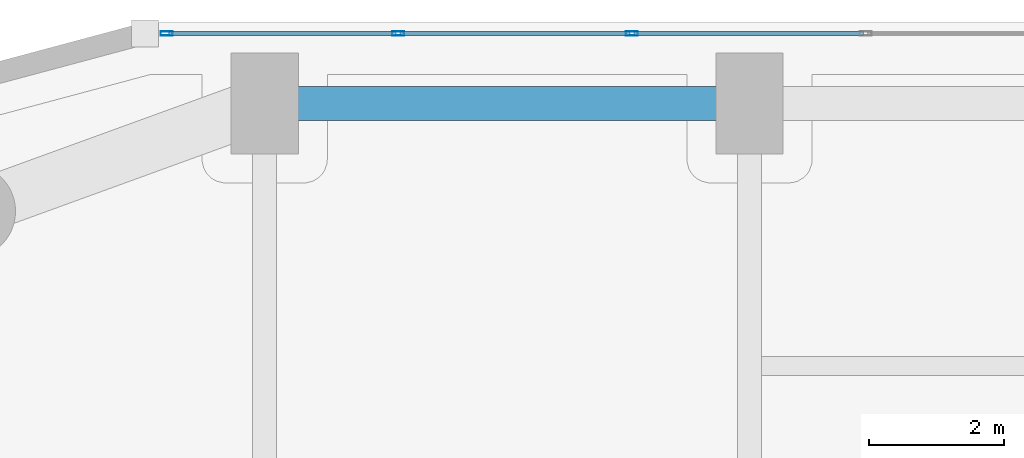
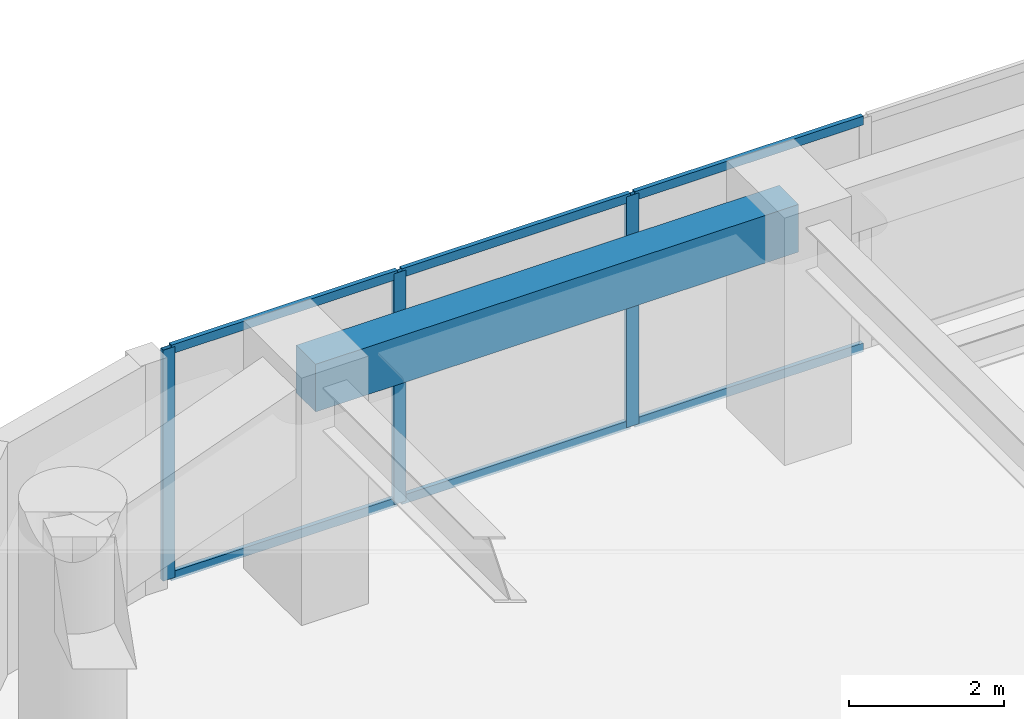
# One storey, part 16 of 28: 9 members, 1 beam, 1 element without a shape of its own.
"""IFC4 building model written with IfcOpenShell, lengths in metres."""

from ifc_helpers import new_model, si_unit, direction, frame, origin, origin_2d, place, context, subcontext, project, spatial, rectangle, hollow_rectangle, extrude, material, layer, layer_set, material_profile, profile_set, type_object, element, aggregate, save


model = new_model("IFC4")

# Units and contexts
model_context = context("Model", 3, precision=1e-05, world=origin(), true_north=direction((0.0, 1.0)))
body_context = subcontext(model_context, "Body", "Model", "MODEL_VIEW")
ifc_project = project(units=[si_unit("LENGTHUNIT", "METRE"), si_unit("AREAUNIT", "SQUARE_METRE"), si_unit("VOLUMEUNIT", "CUBIC_METRE"), si_unit("PLANEANGLEUNIT", "RADIAN"), si_unit("MASSUNIT", "GRAM", prefix="KILO")], contexts=[model_context])

# Site, building, storey
site_placement = place(None, origin())
site = spatial("IfcSite", under=ifc_project, at=site_placement, CompositionType="ELEMENT")
building_placement = place(site_placement, origin())
building = spatial("IfcBuilding", under=site, at=building_placement, Name="Kiyonajd Concourse Tower", CompositionType="ELEMENT")
storey_placement = place(building_placement, frame((0.0, 0.0, 41.10009765625)))
storey = spatial("IfcBuildingStorey", under=building, at=storey_placement, Name="L11", CompositionType="ELEMENT", Elevation=41.10009765625)

# Beam
ifc_material_1 = material(Name="Precast concrete C50/60", Category="concrete")
ifc_material_profile_1 = material_profile(ifc_material_1, rectangle(XDim=0.5, YDim=0.75, at=origin_2d()), Name="RCBM-500x750")
ifc_profile_set_1 = profile_set([ifc_material_profile_1], Name="Precast concrete C50/60")
beam_type = type_object("IfcBeamType", Name="BM-SPAN-RC", PredefinedType="SPANDREL", material=ifc_profile_set_1)
beam_placement = place(storey_placement, frame((32.39990234375, 61.199951171875, 3.264892578125), z_axis=(-1.0, 0.0, 0.0), x_axis=(0.0, -1.0, 0.0)))
element("IfcBeam", 1, at=beam_placement, inside=storey, type_object=beam_type, Name="L11 Perimeter Bundled Tube Spandrel", PredefinedType="SPANDREL", context=body_context, shape_type="SweptSolid", body=[
    extrude(rectangle(XDim=0.5, YDim=0.75, at=origin_2d()), origin(), (0.0, 0.0, 1.0), 7.199951171875),
])

# Curtain wall, members
ifc_material_2 = material(Name="Thermally Broken Anodised Aluminium", Category="aluminium")
ifc_layer = layer(ifc_material_2, 0.179931640625)
ifc_layer_set = layer_set([ifc_layer], Name="Thermally Broken Anodised Aluminium")
curtain_wall_type = type_object("IfcCurtainWallType", Name="CW-SYS-02", PredefinedType="NOTDEFINED", material=ifc_layer_set)
curtain_wall_placement = place(storey_placement, origin())
curtain_wall = element("IfcCurtainWall", 2, at=curtain_wall_placement, inside=storey, type_object=curtain_wall_type, Name="L11 Unitised Curtain Wall CW2", PredefinedType="NOTDEFINED")
ifc_material_profile_2 = material_profile(ifc_material_2, hollow_rectangle(XDim=0.06494140625, YDim=0.179931640625, WallThickness=0.00390625, at=origin_2d()), Name="MULL-65x180")
ifc_profile_set_2 = profile_set([ifc_material_profile_2], Name="Thermally Broken Anodised Aluminium")
member_type_1 = type_object("IfcMemberType", Name="MB-CW-MULL1", PredefinedType="MULLION", material=ifc_profile_set_2)
member_1_placement = place(storey_placement, frame((23.74365234375, 62.239990234375, 0.0), z_axis=(0.0, 0.0, 1.0), x_axis=(0.0, 1.0, 0.0)))
member_1 = element("IfcMember", 3, at=member_1_placement, type_object=member_type_1, Name="CW2 mullion 1", PredefinedType="MULLION", context=body_context, shape_type="SweptSolid", body=[
    extrude(hollow_rectangle(XDim=0.06494140625, YDim=0.179931640625, WallThickness=0.00390625, at=origin_2d()), origin(), (0.0, 0.0, 1.0), 3.639892578125),
])
member_2_placement = place(storey_placement, frame((27.181884765625, 62.239990234375, 0.0), z_axis=(0.0, 0.0, 1.0), x_axis=(0.0, 1.0, 0.0)))
member_2 = element("IfcMember", 4, at=member_2_placement, type_object=member_type_1, Name="CW2 mullion 2", PredefinedType="MULLION", context=body_context, shape_type="SweptSolid", body=[
    extrude(hollow_rectangle(XDim=0.06494140625, YDim=0.179931640625, WallThickness=0.00390625, at=origin_2d()), origin(), (0.0, 0.0, 1.0), 3.639892578125),
])
member_3_placement = place(storey_placement, frame((30.652587890625, 62.239990234375, 0.0), z_axis=(0.0, 0.0, 1.0), x_axis=(0.0, 1.0, 0.0)))
member_3 = element("IfcMember", 5, at=member_3_placement, type_object=member_type_1, Name="CW2 mullion 3", PredefinedType="MULLION", context=body_context, shape_type="SweptSolid", body=[
    extrude(hollow_rectangle(XDim=0.06494140625, YDim=0.179931640625, WallThickness=0.00390625, at=origin_2d()), origin(), (0.0, 0.0, 1.0), 3.639892578125),
])
ifc_material_profile_3 = material_profile(ifc_material_2, hollow_rectangle(XDim=0.06494140625, YDim=0.139892578125, WallThickness=0.00390625, at=origin_2d()), Name="TRAN-65x140")
ifc_profile_set_3 = profile_set([ifc_material_profile_3], Name="Thermally Broken Anodised Aluminium")
member_type_2 = type_object("IfcMemberType", Name="MB-CW-TRAN1", PredefinedType="USERDEFINED", material=ifc_profile_set_3)
member_4_placement = place(storey_placement, frame((23.776123046875, 62.239990234375, 0.032470703125), z_axis=(1.0, 0.0, 0.0), x_axis=(0.0, 1.0, 0.0)))
member_4 = element("IfcMember", 6, at=member_4_placement, type_object=member_type_2, Name="CW2 transom 1.1", ObjectType="TRANSOM", PredefinedType="USERDEFINED", context=body_context, shape_type="SweptSolid", body=[
    extrude(hollow_rectangle(XDim=0.06494140625, YDim=0.139892578125, WallThickness=0.00390625, at=origin_2d()), origin(), (0.0, 0.0, 1.0), 3.373291015625),
])
member_5_placement = place(storey_placement, frame((23.776123046875, 62.239990234375, 3.607421875), z_axis=(1.0, 0.0, 0.0), x_axis=(0.0, 1.0, 0.0)))
member_5 = element("IfcMember", 7, at=member_5_placement, type_object=member_type_2, Name="CW2 transom 1.2", ObjectType="TRANSOM", PredefinedType="USERDEFINED", context=body_context, shape_type="SweptSolid", body=[
    extrude(hollow_rectangle(XDim=0.06494140625, YDim=0.139892578125, WallThickness=0.00390625, at=origin_2d()), origin(), (0.0, 0.0, 1.0), 3.373291015625),
])
member_6_placement = place(storey_placement, frame((27.21435546875, 62.239990234375, 0.032470703125), z_axis=(1.0, 0.0, 0.0), x_axis=(0.0, 1.0, 0.0)))
member_6 = element("IfcMember", 8, at=member_6_placement, type_object=member_type_2, Name="CW2 transom 2.1", ObjectType="TRANSOM", PredefinedType="USERDEFINED", context=body_context, shape_type="SweptSolid", body=[
    extrude(hollow_rectangle(XDim=0.06494140625, YDim=0.139892578125, WallThickness=0.00390625, at=origin_2d()), origin(), (0.0, 0.0, 1.0), 3.40576171875),
])
member_7_placement = place(storey_placement, frame((27.21435546875, 62.239990234375, 3.607421875), z_axis=(1.0, 0.0, 0.0), x_axis=(0.0, 1.0, 0.0)))
member_7 = element("IfcMember", 9, at=member_7_placement, type_object=member_type_2, Name="CW2 transom 2.2", ObjectType="TRANSOM", PredefinedType="USERDEFINED", context=body_context, shape_type="SweptSolid", body=[
    extrude(hollow_rectangle(XDim=0.06494140625, YDim=0.139892578125, WallThickness=0.00390625, at=origin_2d()), origin(), (0.0, 0.0, 1.0), 3.40576171875),
])
member_8_placement = place(storey_placement, frame((30.68505859375, 62.239990234375, 0.032470703125), z_axis=(1.0, 0.0, 0.0), x_axis=(0.0, 1.0, 0.0)))
member_8 = element("IfcMember", 10, at=member_8_placement, type_object=member_type_2, Name="CW2 transom 3.1", ObjectType="TRANSOM", PredefinedType="USERDEFINED", context=body_context, shape_type="SweptSolid", body=[
    extrude(hollow_rectangle(XDim=0.06494140625, YDim=0.139892578125, WallThickness=0.00390625, at=origin_2d()), origin(), (0.0, 0.0, 1.0), 3.40576171875),
])
member_9_placement = place(storey_placement, frame((30.68505859375, 62.239990234375, 3.607421875), z_axis=(1.0, 0.0, 0.0), x_axis=(0.0, 1.0, 0.0)))
member_9 = element("IfcMember", 11, at=member_9_placement, type_object=member_type_2, Name="CW2 transom 3.2", ObjectType="TRANSOM", PredefinedType="USERDEFINED", context=body_context, shape_type="SweptSolid", body=[
    extrude(hollow_rectangle(XDim=0.06494140625, YDim=0.139892578125, WallThickness=0.00390625, at=origin_2d()), origin(), (0.0, 0.0, 1.0), 3.40576171875),
])
aggregate(curtain_wall, [member_1, member_2, member_3, member_4, member_5, member_6, member_7, member_8, member_9])

save(model, "model.ifc")
